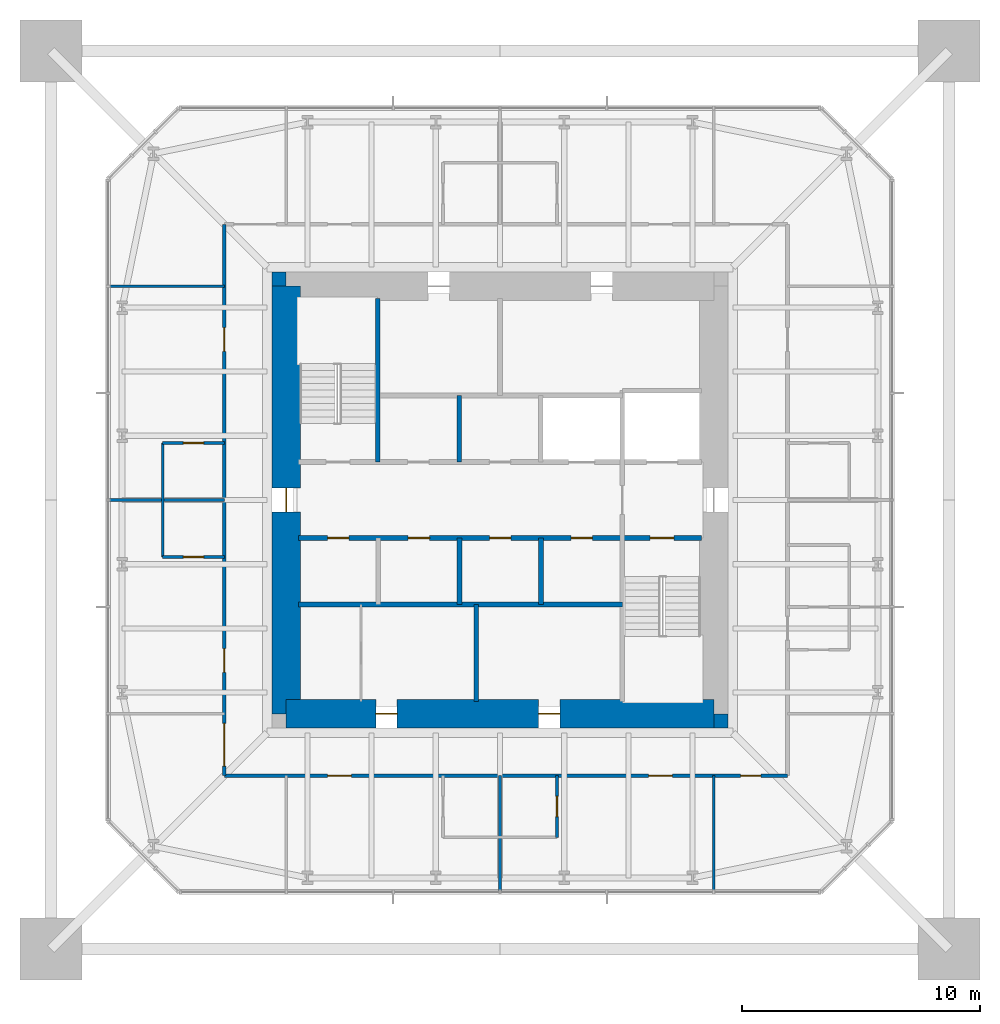
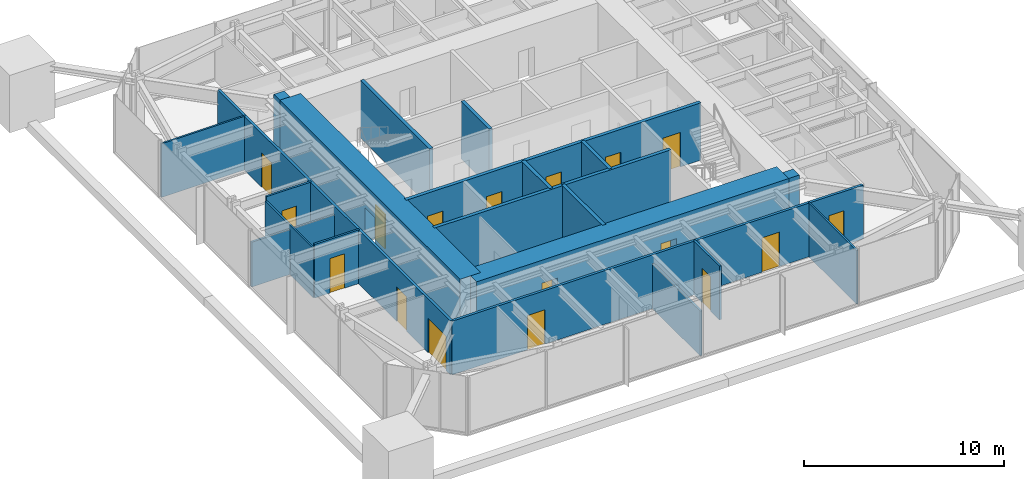
# One storey, part 7 of 10: 21 walls, 17 doors, 17 openings.
"""IFC4 building model written with IfcOpenShell, lengths in metres."""

from ifc_helpers import new_model, si_unit, direction, frame, frame_2d, origin, place, context, subcontext, project, spatial, rectangle, extrude, material, layer, layer_set, type_object, element, fill, save


model = new_model("IFC4")

# Units and contexts
model_context = context("Model", 3, precision=1e-05, world=origin(), true_north=direction((0.0, 1.0)))
body_context = subcontext(model_context, "Body", "Model", "MODEL_VIEW")
ifc_project = project(units=[si_unit("LENGTHUNIT", "METRE"), si_unit("AREAUNIT", "SQUARE_METRE"), si_unit("VOLUMEUNIT", "CUBIC_METRE"), si_unit("PLANEANGLEUNIT", "RADIAN"), si_unit("MASSUNIT", "GRAM", prefix="KILO")], contexts=[model_context])

# Site, building, storey
site_placement = place(None, origin())
site = spatial("IfcSite", under=ifc_project, at=site_placement, CompositionType="ELEMENT")
building_placement = place(site_placement, origin())
building = spatial("IfcBuilding", under=site, at=building_placement, Name="Iwan Alto Co-Living Towers", CompositionType="ELEMENT")
storey_placement = place(building_placement, frame((0.0, 0.0, 253.5)))
storey = spatial("IfcBuildingStorey", under=building, at=storey_placement, Name="L69", CompositionType="ELEMENT", Elevation=253.5)

# Wall, openings, doors
ifc_material_1 = material(Name="Gypsum board")
ifc_layer_1 = layer(ifc_material_1, 0.02490234375, Name="Board", Category="Finish")
ifc_material_2 = material(Name="Steel ASTM A1003 ST33H cold-formed studs", Category="steel")
ifc_layer_2 = layer(ifc_material_2, 0.10009765625, Name="Studs", Category="Framing")
ifc_layer_3 = layer(ifc_material_1, 0.02490234375, Name="Board", Category="Finish")
ifc_layer_set_1 = layer_set([ifc_layer_1, ifc_layer_2, ifc_layer_3], Name="CORRIDOR WALL 150")
wall_type_1 = type_object("IfcWallType", Name="CORRIDOR WALL 150", PredefinedType="PARTITIONING", material=ifc_layer_set_1)
wall_1_placement = place(storey_placement, frame((-11.60009765625, -11.60009765625, 0.0), z_axis=(0.0, 0.0, 1.0), x_axis=(1.0, 0.0, 0.0)))
wall_1 = element("IfcWall", 1, at=wall_1_placement, inside=storey, type_object=wall_type_1, Name="Partition L69", PredefinedType="PARTITIONING", context=body_context, shape_type="SweptSolid", body=[
    extrude(rectangle(XDim=23.7001953125, YDim=0.14990234375, at=frame_2d((11.85009765625, 0.0))), origin(), (0.0, 0.0, 1.0), 3.27001953125),
])
opening_1_placement = place(wall_1_placement, frame((4.35009765625, 0.0, 0.0)))
opening_1 = element("IfcOpeningElement", 2, at=opening_1_placement, cuts=wall_1, Name="Opening D3", PredefinedType="OPENING", context=body_context, shape_type="SweptSolid", body=[
    extrude(rectangle(XDim=1.0, YDim=2.10009765625, at=frame_2d((0.5, 1.050048828125))), frame((0.0, 0.0849609375, 0.0), z_axis=(0.0, -1.0, 0.0), x_axis=(1.0, 0.0, 0.0)), (0.0, 0.0, 1.0), 0.169921875),
])
opening_2_placement = place(wall_1_placement, frame((17.85009765625, 0.0, 0.0)))
opening_2 = element("IfcOpeningElement", 3, at=opening_2_placement, cuts=wall_1, Name="Opening D3", PredefinedType="OPENING", context=body_context, shape_type="SweptSolid", body=[
    extrude(rectangle(XDim=1.0, YDim=2.10009765625, at=frame_2d((0.5, 1.050048828125))), frame((0.0, 0.0849609375, 0.0), z_axis=(0.0, -1.0, 0.0), x_axis=(1.0, 0.0, 0.0)), (0.0, 0.0, 1.0), 0.169921875),
])
opening_3_placement = place(wall_1_placement, frame((21.72509765625, 0.0, 0.0)))
opening_3 = element("IfcOpeningElement", 4, at=opening_3_placement, cuts=wall_1, Name="Opening D2", PredefinedType="OPENING", context=body_context, shape_type="SweptSolid", body=[
    extrude(rectangle(XDim=0.85009765625, YDim=2.10009765625, at=frame_2d((0.425048828125, 1.050048828125))), frame((0.0, 0.0849609375, 0.0), z_axis=(0.0, -1.0, 0.0), x_axis=(1.0, 0.0, 0.0)), (0.0, 0.0, 1.0), 0.169921875),
])
ifc_material_3 = material(Name="Steel frame with timber leaf", Category="steel")
door_type_1 = type_object("IfcDoorType", Name="FLAT ENTRANCE DOOR FD30S 1000X2100", OperationType="SINGLE_SWING_LEFT", PredefinedType="DOOR", material=ifc_material_3)
door_1_placement = place(opening_1_placement, frame((1.0, 0.0, 0.0), z_axis=(0.0, 0.0, 1.0), x_axis=(-1.0, 0.0, 0.0)))
door_1 = element("IfcDoor", 5, at=door_1_placement, inside=storey, type_object=door_type_1, Name="Studio door L69", OperationType="SINGLE_SWING_RIGHT", OverallHeight=2.10009765625, OverallWidth=1.0, PredefinedType="DOOR", context=body_context, shape_type="SweptSolid", body=[
    extrude(rectangle(XDim=1.0, YDim=2.10009765625, at=frame_2d((0.5, 1.050048828125))), frame((0.0, 0.02490234375, 0.0), z_axis=(0.0, -1.0, 0.0), x_axis=(1.0, 0.0, 0.0)), (0.0, 0.0, 1.0), 0.050048828125),
])
fill(opening_1, door_1)
door_2_placement = place(opening_2_placement, frame((1.0, 0.0, 0.0), z_axis=(0.0, 0.0, 1.0), x_axis=(-1.0, 0.0, 0.0)))
door_2 = element("IfcDoor", 6, at=door_2_placement, inside=storey, type_object=door_type_1, Name="Studio door L69", OperationType="SINGLE_SWING_LEFT", OverallHeight=2.10009765625, OverallWidth=1.0, PredefinedType="DOOR", context=body_context, shape_type="SweptSolid", body=[
    extrude(rectangle(XDim=1.0, YDim=2.10009765625, at=frame_2d((0.5, 1.050048828125))), frame((0.0, 0.02490234375, 0.0), z_axis=(0.0, -1.0, 0.0), x_axis=(1.0, 0.0, 0.0)), (0.0, 0.0, 1.0), 0.050048828125),
])
fill(opening_2, door_2)
ifc_material_4 = material(Name="Timber leaf in steel frame", Category="steel")
door_type_2 = type_object("IfcDoorType", Name="ROOM DOOR 850X2100", OperationType="SINGLE_SWING_LEFT", PredefinedType="DOOR", material=ifc_material_4)
door_3_placement = place(opening_3_placement, frame((0.85009765625, 0.0, 0.0), z_axis=(0.0, 0.0, 1.0), x_axis=(-1.0, 0.0, 0.0)))
door_3 = element("IfcDoor", 7, at=door_3_placement, inside=storey, type_object=door_type_2, Name="Shared kitchen and lounge door L69", OperationType="SINGLE_SWING_RIGHT", OverallHeight=2.10009765625, OverallWidth=0.85009765625, PredefinedType="DOOR", context=body_context, shape_type="SweptSolid", body=[
    extrude(rectangle(XDim=0.85009765625, YDim=2.10009765625, at=frame_2d((0.425048828125, 1.050048828125))), frame((0.0, 0.02490234375, 0.0), z_axis=(0.0, -1.0, 0.0), x_axis=(1.0, 0.0, 0.0)), (0.0, 0.0, 1.0), 0.050048828125),
])
fill(opening_3, door_3)

wall_2_placement = place(storey_placement, frame((-11.60009765625, -11.60009765625, 0.0), z_axis=(0.0, 0.0, 1.0), x_axis=(0.0, 1.0, 0.0)))
wall_2 = element("IfcWall", 8, at=wall_2_placement, inside=storey, type_object=wall_type_1, Name="Partition L69", PredefinedType="PARTITIONING", context=body_context, shape_type="SweptSolid", body=[
    extrude(rectangle(XDim=23.2001953125, YDim=0.14990234375, at=frame_2d((11.60009765625, 0.0))), origin(), (0.0, 0.0, 1.0), 3.27001953125),
])
opening_4_placement = place(wall_2_placement, frame((17.85009765625, 0.0, 0.0)))
opening_4 = element("IfcOpeningElement", 9, at=opening_4_placement, cuts=wall_2, Name="Opening D3", PredefinedType="OPENING", context=body_context, shape_type="SweptSolid", body=[
    extrude(rectangle(XDim=1.0, YDim=2.10009765625, at=frame_2d((0.5, 1.050048828125))), frame((0.0, 0.0849609375, 0.0), z_axis=(0.0, -1.0, 0.0), x_axis=(1.0, 0.0, 0.0)), (0.0, 0.0, 1.0), 0.169921875),
])
opening_5_placement = place(wall_2_placement, frame((4.35009765625, 0.0, 0.0)))
opening_5 = element("IfcOpeningElement", 10, at=opening_5_placement, cuts=wall_2, Name="Opening D3", PredefinedType="OPENING", context=body_context, shape_type="SweptSolid", body=[
    extrude(rectangle(XDim=1.0, YDim=2.10009765625, at=frame_2d((0.5, 1.050048828125))), frame((0.0, 0.0849609375, 0.0), z_axis=(0.0, -1.0, 0.0), x_axis=(1.0, 0.0, 0.0)), (0.0, 0.0, 1.0), 0.169921875),
])
opening_6_placement = place(wall_2_placement, frame((0.39990234375, 0.0, 0.0)))
opening_6 = element("IfcOpeningElement", 11, at=opening_6_placement, cuts=wall_2, Name="Opening D9", PredefinedType="OPENING", context=body_context, shape_type="SweptSolid", body=[
    extrude(rectangle(XDim=1.800048828125, YDim=2.10009765625, at=frame_2d((0.89990234375, 1.050048828125))), frame((0.0, 0.0849609375, 0.0), z_axis=(0.0, -1.0, 0.0), x_axis=(1.0, 0.0, 0.0)), (0.0, 0.0, 1.0), 0.169921875),
])
door_4_placement = place(opening_4_placement, origin())
door_4 = element("IfcDoor", 12, at=door_4_placement, inside=storey, type_object=door_type_1, Name="Studio door L69", OperationType="SINGLE_SWING_RIGHT", OverallHeight=2.10009765625, OverallWidth=1.0, PredefinedType="DOOR", context=body_context, shape_type="SweptSolid", body=[
    extrude(rectangle(XDim=1.0, YDim=2.10009765625, at=frame_2d((0.5, 1.050048828125))), frame((0.0, 0.02490234375, 0.0), z_axis=(0.0, -1.0, 0.0), x_axis=(1.0, 0.0, 0.0)), (0.0, 0.0, 1.0), 0.050048828125),
])
fill(opening_4, door_4)
door_5_placement = place(opening_5_placement, origin())
door_5 = element("IfcDoor", 13, at=door_5_placement, inside=storey, type_object=door_type_1, Name="Studio door L69", OperationType="SINGLE_SWING_LEFT", OverallHeight=2.10009765625, OverallWidth=1.0, PredefinedType="DOOR", context=body_context, shape_type="SweptSolid", body=[
    extrude(rectangle(XDim=1.0, YDim=2.10009765625, at=frame_2d((0.5, 1.050048828125))), frame((0.0, 0.02490234375, 0.0), z_axis=(0.0, -1.0, 0.0), x_axis=(1.0, 0.0, 0.0)), (0.0, 0.0, 1.0), 0.050048828125),
])
fill(opening_5, door_5)
ifc_material_5 = material(Name="Steel frame with timber leaf", Category="steel")
door_type_3 = type_object("IfcDoorType", Name="LOUNGE DOOR FD30S 1800X2100", OperationType="DOUBLE_DOOR_SINGLE_SWING", PredefinedType="DOOR", material=ifc_material_5)
door_6_placement = place(opening_6_placement, origin())
door_6 = element("IfcDoor", 14, at=door_6_placement, inside=storey, type_object=door_type_3, Name="Courtyard lounge door L69", OperationType="DOUBLE_DOOR_SINGLE_SWING", OverallHeight=2.10009765625, OverallWidth=1.800048828125, PredefinedType="DOOR", context=body_context, shape_type="SweptSolid", body=[
    extrude(rectangle(XDim=1.800048828125, YDim=2.10009765625, at=frame_2d((0.89990234375, 1.050048828125))), frame((0.0, 0.02490234375, 0.0), z_axis=(0.0, -1.0, 0.0), x_axis=(1.0, 0.0, 0.0)), (0.0, 0.0, 1.0), 0.050048828125),
])
fill(opening_6, door_6)

# Walls
ifc_layer_4 = layer(ifc_material_1, 0.012451171875, Name="Board", Category="Finish")
ifc_layer_5 = layer(ifc_material_2, 0.074951171875, Name="Studs", Category="Framing")
ifc_layer_6 = layer(ifc_material_1, 0.012451171875, Name="Board", Category="Finish")
ifc_layer_set_2 = layer_set([ifc_layer_4, ifc_layer_5, ifc_layer_6], Name="PARTITION 100")
wall_type_2 = type_object("IfcWallType", Name="PARTITION 100", PredefinedType="PARTITIONING", material=ifc_layer_set_2)
for number, where, z_axis, x_axis, name in (
    (15, (-16.43994140625, 9.0, 0.0), (0.0, 0.0, 1.0), (1.0, 0.0, 0.0), "Partition L69"),
    (16, (9.0, -16.43994140625, 0.0), (0.0, 0.0, 1.0), (0.0, 1.0, 0.0), "Partition L69"),
):
    element("IfcWall", number, at=place(storey_placement, frame(where, z_axis=z_axis, x_axis=x_axis)), inside=storey, type_object=wall_type_2, Name=name, PredefinedType="PARTITIONING", context=body_context, shape_type="SweptSolid", body=[
        extrude(rectangle(XDim=4.83984375, YDim=0.10009765625, at=frame_2d((2.419921875, 0.0))), origin(), (0.0, 0.0, 1.0), 3.27001953125),
    ])
wall_3_placement = place(storey_placement, frame((-14.199951171875, -2.39990234375, 0.0), z_axis=(0.0, 0.0, 1.0), x_axis=(0.0, 1.0, 0.0)))
element("IfcWall", 17, at=wall_3_placement, inside=storey, type_object=wall_type_2, Name="Partition L69", PredefinedType="PARTITIONING", context=body_context, shape_type="SweptSolid", body=[
    extrude(rectangle(XDim=4.7998046875, YDim=0.10009765625, at=frame_2d((2.39990234375, 0.0))), origin(), (0.0, 0.0, 1.0), 3.0),
])
ifc_material_6 = material(Name="Concrete f'c 70 MPa", Category="concrete")
ifc_layer_7 = layer(ifc_material_6, 0.199951171875)
ifc_layer_set_3 = layer_set([ifc_layer_7], Name="SHAFT WALL 200")
wall_type_3 = type_object("IfcWallType", Name="SHAFT WALL 200", PredefinedType="SOLIDWALL", material=ifc_layer_set_3)
wall_4_placement = place(storey_placement, frame((-8.489990234375, -4.39990234375, 0.0), z_axis=(0.0, 0.0, 1.0), x_axis=(1.0, 0.0, 0.0)))
element("IfcWall", 18, at=wall_4_placement, inside=storey, type_object=wall_type_3, Name="Shaft wall L69", PredefinedType="SOLIDWALL", context=body_context, shape_type="SweptSolid", body=[
    extrude(rectangle(XDim=13.639892578125, YDim=0.199951171875, at=frame_2d((6.81982421875, 0.0))), origin(), (0.0, 0.0, 1.0), 3.5),
])

# Wall, openings, doors
wall_5_placement = place(storey_placement, frame((-8.489990234375, -1.60009765625, 0.0), z_axis=(0.0, 0.0, 1.0), x_axis=(1.0, 0.0, 0.0)))
wall_5 = element("IfcWall", 19, at=wall_5_placement, inside=storey, type_object=wall_type_3, Name="Shaft wall L69", PredefinedType="SOLIDWALL", context=body_context, shape_type="SweptSolid", body=[
    extrude(rectangle(XDim=16.97998046875, YDim=0.199951171875, at=frame_2d((8.489990234375, 0.0))), origin(), (0.0, 0.0, 1.0), 3.5),
])
opening_7_placement = place(wall_5_placement, frame((14.81005859375, 0.0, 0.0)))
opening_7 = element("IfcOpeningElement", 20, at=opening_7_placement, cuts=wall_5, Name="Opening D5", PredefinedType="OPENING", context=body_context, shape_type="SweptSolid", body=[
    extrude(rectangle(XDim=1.0, YDim=2.10009765625, at=frame_2d((0.5, 1.050048828125))), frame((0.0, 0.10986328125, 0.0), z_axis=(0.0, -1.0, 0.0), x_axis=(1.0, 0.0, 0.0)), (0.0, 0.0, 1.0), 0.219970703125),
])
opening_8_placement = place(wall_5_placement, frame((1.23193359375, 0.0, 0.0)))
opening_8 = element("IfcOpeningElement", 21, at=opening_8_placement, cuts=wall_5, Name="Opening D15", PredefinedType="OPENING", context=body_context, shape_type="SweptSolid", body=[
    extrude(rectangle(XDim=0.89990234375, YDim=2.10009765625, at=frame_2d((0.449951171875, 1.050048828125))), frame((0.0, 0.10986328125, 0.0), z_axis=(0.0, -1.0, 0.0), x_axis=(1.0, 0.0, 0.0)), (0.0, 0.0, 1.0), 0.219970703125),
])
opening_9_placement = place(wall_5_placement, frame((4.626953125, 0.0, 0.0)))
opening_9 = element("IfcOpeningElement", 22, at=opening_9_placement, cuts=wall_5, Name="Opening D15", PredefinedType="OPENING", context=body_context, shape_type="SweptSolid", body=[
    extrude(rectangle(XDim=0.89990234375, YDim=2.10009765625, at=frame_2d((0.449951171875, 1.050048828125))), frame((0.0, 0.10986328125, 0.0), z_axis=(0.0, -1.0, 0.0), x_axis=(1.0, 0.0, 0.0)), (0.0, 0.0, 1.0), 0.219970703125),
])
opening_10_placement = place(wall_5_placement, frame((8.052001953125, 0.0, 0.0)))
opening_10 = element("IfcOpeningElement", 23, at=opening_10_placement, cuts=wall_5, Name="Opening D15", PredefinedType="OPENING", context=body_context, shape_type="SweptSolid", body=[
    extrude(rectangle(XDim=0.89990234375, YDim=2.10009765625, at=frame_2d((0.449951171875, 1.050048828125))), frame((0.0, 0.10986328125, 0.0), z_axis=(0.0, -1.0, 0.0), x_axis=(1.0, 0.0, 0.0)), (0.0, 0.0, 1.0), 0.219970703125),
])
opening_11_placement = place(wall_5_placement, frame((11.47802734375, 0.0, 0.0)))
opening_11 = element("IfcOpeningElement", 24, at=opening_11_placement, cuts=wall_5, Name="Opening D15", PredefinedType="OPENING", context=body_context, shape_type="SweptSolid", body=[
    extrude(rectangle(XDim=0.89990234375, YDim=2.10009765625, at=frame_2d((0.449951171875, 1.050048828125))), frame((0.0, 0.10986328125, 0.0), z_axis=(0.0, -1.0, 0.0), x_axis=(1.0, 0.0, 0.0)), (0.0, 0.0, 1.0), 0.219970703125),
])
ifc_material_7 = material(Name="Steel frame with timber leaf", Category="steel")
door_type_4 = type_object("IfcDoorType", Name="CORE ROOM DOOR FD60S 900X2100", OperationType="SINGLE_SWING_LEFT", PredefinedType="DOOR", material=ifc_material_7)
door_7_placement = place(opening_8_placement, frame((0.89990234375, 0.0, 0.0), z_axis=(0.0, 0.0, 1.0), x_axis=(-1.0, 0.0, 0.0)))
door_7 = element("IfcDoor", 25, at=door_7_placement, inside=storey, type_object=door_type_4, Name="Comms room door L69", OperationType="SINGLE_SWING_LEFT", OverallHeight=2.10009765625, OverallWidth=0.89990234375, PredefinedType="DOOR", context=body_context, shape_type="SweptSolid", body=[
    extrude(rectangle(XDim=0.89990234375, YDim=2.10009765625, at=frame_2d((0.449951171875, 1.050048828125))), frame((0.0, 0.02490234375, 0.0), z_axis=(0.0, -1.0, 0.0), x_axis=(1.0, 0.0, 0.0)), (0.0, 0.0, 1.0), 0.050048828125),
])
fill(opening_8, door_7)
door_8_placement = place(opening_9_placement, frame((0.89990234375, 0.0, 0.0), z_axis=(0.0, 0.0, 1.0), x_axis=(-1.0, 0.0, 0.0)))
door_8 = element("IfcDoor", 26, at=door_8_placement, inside=storey, type_object=door_type_4, Name="Bulk store door L69", OperationType="SINGLE_SWING_RIGHT", OverallHeight=2.10009765625, OverallWidth=0.89990234375, PredefinedType="DOOR", context=body_context, shape_type="SweptSolid", body=[
    extrude(rectangle(XDim=0.89990234375, YDim=2.10009765625, at=frame_2d((0.449951171875, 1.050048828125))), frame((0.0, 0.02490234375, 0.0), z_axis=(0.0, -1.0, 0.0), x_axis=(1.0, 0.0, 0.0)), (0.0, 0.0, 1.0), 0.050048828125),
])
fill(opening_9, door_8)
door_9_placement = place(opening_10_placement, frame((0.89990234375, 0.0, 0.0), z_axis=(0.0, 0.0, 1.0), x_axis=(-1.0, 0.0, 0.0)))
door_9 = element("IfcDoor", 27, at=door_9_placement, inside=storey, type_object=door_type_4, Name="Bulk store door L69", OperationType="SINGLE_SWING_RIGHT", OverallHeight=2.10009765625, OverallWidth=0.89990234375, PredefinedType="DOOR", context=body_context, shape_type="SweptSolid", body=[
    extrude(rectangle(XDim=0.89990234375, YDim=2.10009765625, at=frame_2d((0.449951171875, 1.050048828125))), frame((0.0, 0.02490234375, 0.0), z_axis=(0.0, -1.0, 0.0), x_axis=(1.0, 0.0, 0.0)), (0.0, 0.0, 1.0), 0.050048828125),
])
fill(opening_10, door_9)
door_10_placement = place(opening_11_placement, frame((0.89990234375, 0.0, 0.0), z_axis=(0.0, 0.0, 1.0), x_axis=(-1.0, 0.0, 0.0)))
door_10 = element("IfcDoor", 28, at=door_10_placement, inside=storey, type_object=door_type_4, Name="Housekeeping store door L69", OperationType="SINGLE_SWING_RIGHT", OverallHeight=2.10009765625, OverallWidth=0.89990234375, PredefinedType="DOOR", context=body_context, shape_type="SweptSolid", body=[
    extrude(rectangle(XDim=0.89990234375, YDim=2.10009765625, at=frame_2d((0.449951171875, 1.050048828125))), frame((0.0, 0.02490234375, 0.0), z_axis=(0.0, -1.0, 0.0), x_axis=(1.0, 0.0, 0.0)), (0.0, 0.0, 1.0), 0.050048828125),
])
fill(opening_11, door_10)
ifc_material_8 = material(Name="Steel frame with timber leaf", Category="steel")
door_type_5 = type_object("IfcDoorType", Name="STAIR DOOR FD120S 1000X2100", OperationType="SINGLE_SWING_LEFT", PredefinedType="DOOR", material=ifc_material_8)
door_11_placement = place(opening_7_placement, frame((1.0, 0.0, 0.0), z_axis=(0.0, 0.0, 1.0), x_axis=(-1.0, 0.0, 0.0)))
door_11 = element("IfcDoor", 29, at=door_11_placement, inside=storey, type_object=door_type_5, Name="Stair S2 door L69", OperationType="SINGLE_SWING_RIGHT", OverallHeight=2.10009765625, OverallWidth=1.0, PredefinedType="DOOR", context=body_context, shape_type="SweptSolid", body=[
    extrude(rectangle(XDim=1.0, YDim=2.10009765625, at=frame_2d((0.5, 1.050048828125))), frame((0.0, 0.02490234375, 0.0), z_axis=(0.0, -1.0, 0.0), x_axis=(1.0, 0.0, 0.0)), (0.0, 0.0, 1.0), 0.050048828125),
])
fill(opening_7, door_11)

# Walls
wall_6_placement = place(storey_placement, frame((1.72509765625, -4.39990234375, 0.0), z_axis=(0.0, 0.0, 1.0), x_axis=(0.0, 1.0, 0.0)))
element("IfcWall", 30, at=wall_6_placement, inside=storey, type_object=wall_type_3, Name="Shaft wall L69", PredefinedType="SOLIDWALL", context=body_context, shape_type="SweptSolid", body=[
    extrude(rectangle(XDim=2.7998046875, YDim=0.199951171875, at=frame_2d((1.39990234375, 0.0))), origin(), (0.0, 0.0, 1.0), 3.5),
])
wall_7_placement = place(storey_placement, frame((-1.0, -8.489990234375, 0.0), z_axis=(0.0, 0.0, 1.0), x_axis=(0.0, 1.0, 0.0)))
element("IfcWall", 31, at=wall_7_placement, inside=storey, type_object=wall_type_3, Name="Shaft wall L69", PredefinedType="SOLIDWALL", context=body_context, shape_type="SweptSolid", body=[
    extrude(rectangle(XDim=4.090087890625, YDim=0.199951171875, at=frame_2d((2.044921875, 0.0))), origin(), (0.0, 0.0, 1.0), 3.5),
])
for number, where, z_axis, x_axis, name in (
    (32, (-1.699951171875, -4.39990234375, 0.0), (0.0, 0.0, 1.0), (0.0, 1.0, 0.0), "Shaft wall L69"),
    (33, (-1.717041015625, 1.60009765625, 0.0), (0.0, 0.0, 1.0), (0.0, 1.0, 0.0), "Shaft wall L69"),
):
    element("IfcWall", number, at=place(storey_placement, frame(where, z_axis=z_axis, x_axis=x_axis)), inside=storey, type_object=wall_type_3, Name=name, PredefinedType="SOLIDWALL", context=body_context, shape_type="SweptSolid", body=[
        extrude(rectangle(XDim=2.7998046875, YDim=0.199951171875, at=frame_2d((1.39990234375, 0.0))), origin(), (0.0, 0.0, 1.0), 3.5),
    ])
wall_8_placement = place(storey_placement, frame((-5.14990234375, 1.60009765625, 0.0), z_axis=(0.0, 0.0, 1.0), x_axis=(0.0, 1.0, 0.0)))
element("IfcWall", 34, at=wall_8_placement, inside=storey, type_object=wall_type_3, Name="Shaft wall L69", PredefinedType="SOLIDWALL", context=body_context, shape_type="SweptSolid", body=[
    extrude(rectangle(XDim=6.889892578125, YDim=0.199951171875, at=frame_2d((3.44482421875, 0.0))), origin(), (0.0, 0.0, 1.0), 3.5),
])
ifc_material_9 = material(Name="Concrete f'c 70 MPa", Category="concrete")
ifc_layer_8 = layer(ifc_material_9, 0.60009765625)
ifc_layer_set_4 = layer_set([ifc_layer_8], Name="T1 CORE CORNER FILL 600")
wall_type_4 = type_object("IfcWallType", Name="T1 CORE CORNER FILL 600", PredefinedType="SOLIDWALL", material=ifc_layer_set_4)
for number, where, z_axis, x_axis, name in (
    (35, (9.0, -9.300048828125, 0.0), (0.0, 0.0, 1.0), (1.0, 0.0, 0.0), "T1 core corner SE L69"),
    (36, (-9.60009765625, 9.300048828125, 0.0), (0.0, 0.0, 1.0), (1.0, 0.0, 0.0), "T1 core corner NW L69"),
):
    element("IfcWall", number, at=place(storey_placement, frame(where, z_axis=z_axis, x_axis=x_axis)), inside=storey, type_object=wall_type_4, Name=name, PredefinedType="SOLIDWALL", context=body_context, shape_type="SweptSolid", body=[
        extrude(rectangle(XDim=0.60009765625, YDim=0.60009765625, at=frame_2d((0.300048828125, 0.0))), origin(), (0.0, 0.0, 1.0), 3.5),
    ])

# Wall, openings, doors
ifc_material_10 = material(Name="Concrete f'c 70 MPa", Category="concrete")
ifc_layer_9 = layer(ifc_material_10, 1.199951171875)
ifc_layer_set_5 = layer_set([ifc_layer_9], Name="T1 CORE WALL 1200")
wall_type_5 = type_object("IfcWallType", Name="T1 CORE WALL 1200", PredefinedType="SHEAR", material=ifc_layer_set_5)
wall_9_placement = place(storey_placement, frame((-9.0, -9.0, 0.0), z_axis=(0.0, 0.0, 1.0), x_axis=(1.0, 0.0, 0.0)))
wall_9 = element("IfcWall", 37, at=wall_9_placement, inside=storey, type_object=wall_type_5, Name="T1 core wall S L69", PredefinedType="SHEAR", context=body_context, shape_type="SweptSolid", body=[
    extrude(rectangle(XDim=18.0, YDim=1.199951171875, at=frame_2d((9.0, 0.0))), origin(), (0.0, 0.0, 1.0), 3.5),
])
opening_12_placement = place(wall_9_placement, frame((3.77490234375, 0.0, 0.0)))
opening_12 = element("IfcOpeningElement", 38, at=opening_12_placement, cuts=wall_9, Name="Opening D8", PredefinedType="OPENING", context=body_context, shape_type="SweptSolid", body=[
    extrude(rectangle(XDim=0.89990234375, YDim=2.10009765625, at=frame_2d((0.449951171875, 1.050048828125))), frame((0.0, 0.60986328125, 0.0), z_axis=(0.0, -1.0, 0.0), x_axis=(1.0, 0.0, 0.0)), (0.0, 0.0, 1.0), 1.219970703125),
])
opening_13_placement = place(wall_9_placement, frame((10.625, 0.0, 0.0)))
opening_13 = element("IfcOpeningElement", 39, at=opening_13_placement, cuts=wall_9, Name="Opening D8", PredefinedType="OPENING", context=body_context, shape_type="SweptSolid", body=[
    extrude(rectangle(XDim=0.89990234375, YDim=2.10009765625, at=frame_2d((0.449951171875, 1.050048828125))), frame((0.0, 0.60986328125, 0.0), z_axis=(0.0, -1.0, 0.0), x_axis=(1.0, 0.0, 0.0)), (0.0, 0.0, 1.0), 1.219970703125),
])
ifc_material_11 = material(Name="Steel frame with timber leaf", Category="steel")
door_type_6 = type_object("IfcDoorType", Name="RISER DOOR FD120 900X2100", OperationType="SINGLE_SWING_LEFT", PredefinedType="DOOR", material=ifc_material_11)
door_12_placement = place(opening_12_placement, origin())
door_12 = element("IfcDoor", 40, at=door_12_placement, inside=storey, type_object=door_type_6, Name="Refuse room core door L69", OperationType="SINGLE_SWING_LEFT", OverallHeight=2.10009765625, OverallWidth=0.89990234375, PredefinedType="DOOR", context=body_context, shape_type="SweptSolid", body=[
    extrude(rectangle(XDim=0.89990234375, YDim=2.10009765625, at=frame_2d((0.449951171875, 1.050048828125))), frame((0.0, 0.02490234375, 0.0), z_axis=(0.0, -1.0, 0.0), x_axis=(1.0, 0.0, 0.0)), (0.0, 0.0, 1.0), 0.050048828125),
])
fill(opening_12, door_12)
door_13_placement = place(opening_13_placement, origin())
door_13 = element("IfcDoor", 41, at=door_13_placement, inside=storey, type_object=door_type_6, Name="Telecom riser core door L69", OperationType="SINGLE_SWING_LEFT", OverallHeight=2.10009765625, OverallWidth=0.89990234375, PredefinedType="DOOR", context=body_context, shape_type="SweptSolid", body=[
    extrude(rectangle(XDim=0.89990234375, YDim=2.10009765625, at=frame_2d((0.449951171875, 1.050048828125))), frame((0.0, 0.02490234375, 0.0), z_axis=(0.0, -1.0, 0.0), x_axis=(1.0, 0.0, 0.0)), (0.0, 0.0, 1.0), 0.050048828125),
])
fill(opening_13, door_13)

# Wall, opening, door
wall_10_placement = place(storey_placement, frame((-9.0, 9.0, 0.0), z_axis=(0.0, 0.0, 1.0), x_axis=(0.0, -1.0, 0.0)))
wall_10 = element("IfcWall", 42, at=wall_10_placement, inside=storey, type_object=wall_type_5, Name="T1 core wall W L69", PredefinedType="SHEAR", context=body_context, shape_type="SweptSolid", body=[
    extrude(rectangle(XDim=18.0, YDim=1.199951171875, at=frame_2d((9.0, 0.0))), origin(), (0.0, 0.0, 1.0), 3.5),
])
opening_14_placement = place(wall_10_placement, frame((8.5, 0.0, 0.0)))
opening_14 = element("IfcOpeningElement", 43, at=opening_14_placement, cuts=wall_10, Name="Opening D7", PredefinedType="OPENING", context=body_context, shape_type="SweptSolid", body=[
    extrude(rectangle(XDim=1.0, YDim=2.10009765625, at=frame_2d((0.5, 1.050048828125))), frame((0.0, 0.60986328125, 0.0), z_axis=(0.0, -1.0, 0.0), x_axis=(1.0, 0.0, 0.0)), (0.0, 0.0, 1.0), 1.219970703125),
])
ifc_material_12 = material(Name="Steel frame with timber leaf", Category="steel")
door_type_7 = type_object("IfcDoorType", Name="CORE DOOR FD120S 1000X2100", OperationType="SINGLE_SWING_LEFT", PredefinedType="DOOR", material=ifc_material_12)
door_14_placement = place(opening_14_placement, origin())
door_14 = element("IfcDoor", 44, at=door_14_placement, inside=storey, type_object=door_type_7, Name="Lift lobby core door L69", OperationType="SINGLE_SWING_RIGHT", OverallHeight=2.10009765625, OverallWidth=1.0, PredefinedType="DOOR", context=body_context, shape_type="SweptSolid", body=[
    extrude(rectangle(XDim=1.0, YDim=2.10009765625, at=frame_2d((0.5, 1.050048828125))), frame((0.0, 0.02490234375, 0.0), z_axis=(0.0, -1.0, 0.0), x_axis=(1.0, 0.0, 0.0)), (0.0, 0.0, 1.0), 0.050048828125),
])
fill(opening_14, door_14)

ifc_material_13 = material(Name="Cement board")
ifc_layer_10 = layer(ifc_material_13, 0.012451171875, Name="Board", Category="Finish")
ifc_layer_11 = layer(ifc_material_2, 0.094970703125, Name="Studs", Category="Framing")
ifc_layer_12 = layer(ifc_material_13, 0.012451171875, Name="Board", Category="Finish")
ifc_layer_set_6 = layer_set([ifc_layer_10, ifc_layer_11, ifc_layer_12], Name="WET AREA PARTITION 120")
wall_type_6 = type_object("IfcWallType", Name="WET AREA PARTITION 120", PredefinedType="PARTITIONING", material=ifc_layer_set_6)
wall_11_placement = place(storey_placement, frame((-14.199951171875, -2.39990234375, 0.0), z_axis=(0.0, 0.0, 1.0), x_axis=(1.0, 0.0, 0.0)))
wall_11 = element("IfcWall", 45, at=wall_11_placement, inside=storey, type_object=wall_type_6, Name="Partition L69", PredefinedType="PARTITIONING", context=body_context, shape_type="SweptSolid", body=[
    extrude(rectangle(XDim=2.599853515625, YDim=0.1201171875, at=frame_2d((1.2998046875, 0.0))), origin(), (0.0, 0.0, 1.0), 3.27001953125),
])
opening_15_placement = place(wall_11_placement, frame((0.875, 0.0, 0.0)))
opening_15 = element("IfcOpeningElement", 46, at=opening_15_placement, cuts=wall_11, Name="Opening D2", PredefinedType="OPENING", context=body_context, shape_type="SweptSolid", body=[
    extrude(rectangle(XDim=0.85009765625, YDim=2.10009765625, at=frame_2d((0.425048828125, 1.050048828125))), frame((0.0, 0.070068359375, 0.0), z_axis=(0.0, -1.0, 0.0), x_axis=(1.0, 0.0, 0.0)), (0.0, 0.0, 1.0), 0.14013671875),
])
door_15_placement = place(opening_15_placement, frame((0.85009765625, 0.0, 0.0), z_axis=(0.0, 0.0, 1.0), x_axis=(-1.0, 0.0, 0.0)))
door_15 = element("IfcDoor", 47, at=door_15_placement, inside=storey, type_object=door_type_2, Name="En-suite shower room door L69", OperationType="SINGLE_SWING_LEFT", OverallHeight=2.10009765625, OverallWidth=0.85009765625, PredefinedType="DOOR", context=body_context, shape_type="SweptSolid", body=[
    extrude(rectangle(XDim=0.85009765625, YDim=2.10009765625, at=frame_2d((0.425048828125, 1.050048828125))), frame((0.0, 0.02490234375, 0.0), z_axis=(0.0, -1.0, 0.0), x_axis=(1.0, 0.0, 0.0)), (0.0, 0.0, 1.0), 0.050048828125),
])
fill(opening_15, door_15)

# Wall
wall_12_placement = place(storey_placement, frame((-16.43994140625, 0.0, 0.0), z_axis=(0.0, 0.0, 1.0), x_axis=(1.0, 0.0, 0.0)))
element("IfcWall", 48, at=wall_12_placement, inside=storey, type_object=wall_type_6, Name="Partition L69", PredefinedType="PARTITIONING", context=body_context, shape_type="SweptSolid", body=[
    extrude(rectangle(XDim=4.83984375, YDim=0.1201171875, at=frame_2d((2.419921875, 0.0))), origin(), (0.0, 0.0, 1.0), 2.736572265625),
])

# Wall, opening, door
wall_13_placement = place(storey_placement, frame((-14.199951171875, 2.39990234375, 0.0), z_axis=(0.0, 0.0, 1.0), x_axis=(1.0, 0.0, 0.0)))
wall_13 = element("IfcWall", 49, at=wall_13_placement, inside=storey, type_object=wall_type_6, Name="Partition L69", PredefinedType="PARTITIONING", context=body_context, shape_type="SweptSolid", body=[
    extrude(rectangle(XDim=2.599853515625, YDim=0.1201171875, at=frame_2d((1.2998046875, 0.0))), origin(), (0.0, 0.0, 1.0), 3.27001953125),
])
opening_16_placement = place(wall_13_placement, frame((0.875, 0.0, 0.0)))
opening_16 = element("IfcOpeningElement", 50, at=opening_16_placement, cuts=wall_13, Name="Opening D2", PredefinedType="OPENING", context=body_context, shape_type="SweptSolid", body=[
    extrude(rectangle(XDim=0.85009765625, YDim=2.10009765625, at=frame_2d((0.425048828125, 1.050048828125))), frame((0.0, 0.070068359375, 0.0), z_axis=(0.0, -1.0, 0.0), x_axis=(1.0, 0.0, 0.0)), (0.0, 0.0, 1.0), 0.14013671875),
])
door_16_placement = place(opening_16_placement, origin())
door_16 = element("IfcDoor", 51, at=door_16_placement, inside=storey, type_object=door_type_2, Name="En-suite shower room door L69", OperationType="SINGLE_SWING_RIGHT", OverallHeight=2.10009765625, OverallWidth=0.85009765625, PredefinedType="DOOR", context=body_context, shape_type="SweptSolid", body=[
    extrude(rectangle(XDim=0.85009765625, YDim=2.10009765625, at=frame_2d((0.425048828125, 1.050048828125))), frame((0.0, 0.02490234375, 0.0), z_axis=(0.0, -1.0, 0.0), x_axis=(1.0, 0.0, 0.0)), (0.0, 0.0, 1.0), 0.050048828125),
])
fill(opening_16, door_16)

wall_14_placement = place(storey_placement, frame((2.39990234375, -14.199951171875, 0.0), z_axis=(0.0, 0.0, 1.0), x_axis=(0.0, 1.0, 0.0)))
wall_14 = element("IfcWall", 52, at=wall_14_placement, inside=storey, type_object=wall_type_6, Name="Partition L69", PredefinedType="PARTITIONING", context=body_context, shape_type="SweptSolid", body=[
    extrude(rectangle(XDim=2.599853515625, YDim=0.1201171875, at=frame_2d((1.2998046875, 0.0))), origin(), (0.0, 0.0, 1.0), 3.27001953125),
])
opening_17_placement = place(wall_14_placement, frame((0.875, 0.0, 0.0)))
opening_17 = element("IfcOpeningElement", 53, at=opening_17_placement, cuts=wall_14, Name="Opening D2", PredefinedType="OPENING", context=body_context, shape_type="SweptSolid", body=[
    extrude(rectangle(XDim=0.85009765625, YDim=2.10009765625, at=frame_2d((0.425048828125, 1.050048828125))), frame((0.0, 0.070068359375, 0.0), z_axis=(0.0, -1.0, 0.0), x_axis=(1.0, 0.0, 0.0)), (0.0, 0.0, 1.0), 0.14013671875),
])
door_17_placement = place(opening_17_placement, frame((0.85009765625, 0.0, 0.0), z_axis=(0.0, 0.0, 1.0), x_axis=(-1.0, 0.0, 0.0)))
door_17 = element("IfcDoor", 54, at=door_17_placement, inside=storey, type_object=door_type_2, Name="En-suite shower room door L69", OperationType="SINGLE_SWING_LEFT", OverallHeight=2.10009765625, OverallWidth=0.85009765625, PredefinedType="DOOR", context=body_context, shape_type="SweptSolid", body=[
    extrude(rectangle(XDim=0.85009765625, YDim=2.10009765625, at=frame_2d((0.425048828125, 1.050048828125))), frame((0.0, 0.02490234375, 0.0), z_axis=(0.0, -1.0, 0.0), x_axis=(1.0, 0.0, 0.0)), (0.0, 0.0, 1.0), 0.050048828125),
])
fill(opening_17, door_17)

# Wall
wall_15_placement = place(storey_placement, frame((0.0, -16.43994140625, 0.0), z_axis=(0.0, 0.0, 1.0), x_axis=(0.0, 1.0, 0.0)))
element("IfcWall", 55, at=wall_15_placement, inside=storey, type_object=wall_type_6, Name="Partition L69", PredefinedType="PARTITIONING", context=body_context, shape_type="SweptSolid", body=[
    extrude(rectangle(XDim=4.83984375, YDim=0.1201171875, at=frame_2d((2.419921875, 0.0))), origin(), (0.0, 0.0, 1.0), 2.736572265625),
])

save(model, "model.ifc")
